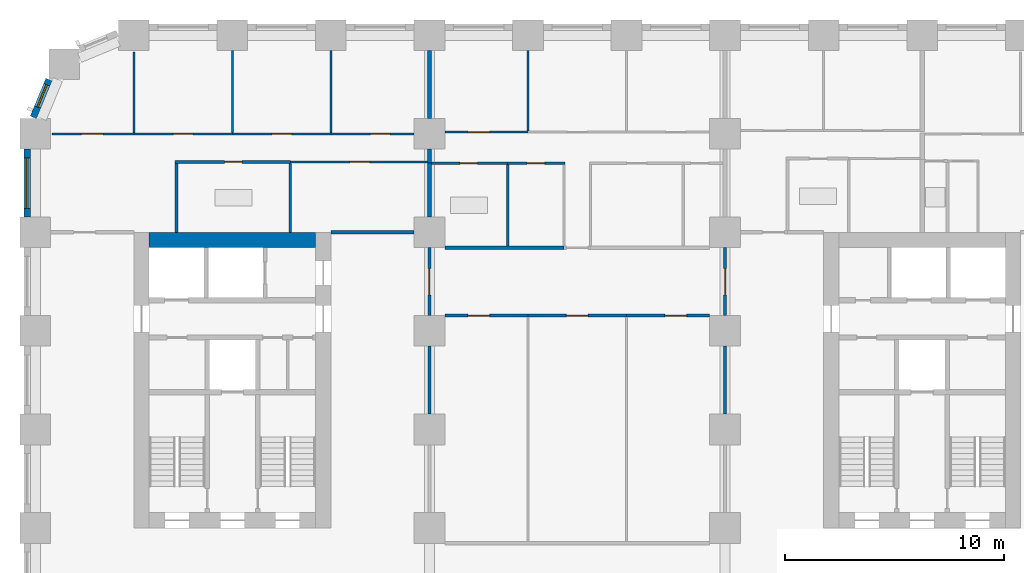
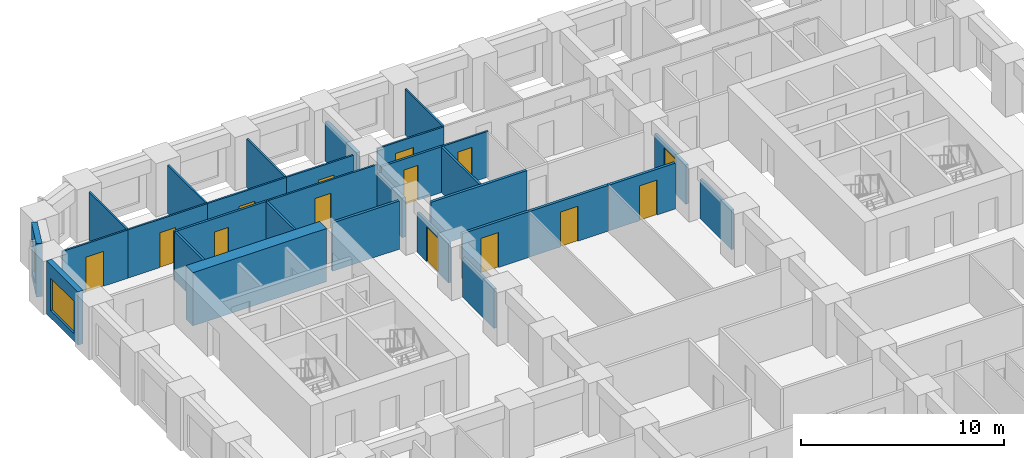
# One storey, part 7 of 13: 31 walls, 14 doors, 2 windows, 16 openings.
"""IFC4 building model written with IfcOpenShell, lengths in metres."""

import ifcopenshell
import ifcopenshell.guid

model = None  # the IFC model being written
_history = None  # IfcOwnerHistory: only IFC2X3 demands one
_inside = {}  # id of a spatial element -> (the spatial element, [elements in it])
_under = {}  # id of a project, library or spatial element -> (it, [spatial elements below it])
_declared = {}  # id of a project -> (the project, [libraries it declares])
_typed = {}  # id of a type object -> (the type object, [elements of that type])
_made_of = {}  # id of a material, layer set ... -> (it, [elements and type objects made of it])


def new_model(schema):
    """Start an empty IFC model of exactly this schema.

    Asked for "IFC4X3", IfcOpenShell would pick the latest addendum, in which some entities
    have other attributes; the version numbers below select the first issue.
    IFC2X3 requires an IfcOwnerHistory on every rooted entity: one is made here for all.
    """
    global model, _history
    if schema == "IFC4X3":
        model = ifcopenshell.file(schema_version=(4, 3, 0, 0))
    else:
        model = ifcopenshell.file(schema=schema)
    _inside.clear()
    _under.clear()
    _declared.clear()
    _typed.clear()
    _made_of.clear()
    _history = None
    if model.schema == "IFC2X3":
        org = make("IfcOrganization", Name="unknown")
        user = make(
            "IfcPersonAndOrganization",
            ThePerson=make("IfcPerson", FamilyName="unknown"),
            TheOrganization=org,
        )
        app = make(
            "IfcApplication",
            ApplicationDeveloper=org,
            Version="unknown",
            ApplicationFullName="unknown",
            ApplicationIdentifier="unknown",
        )
        _history = make(
            "IfcOwnerHistory",
            OwningUser=user,
            OwningApplication=app,
            ChangeAction="ADDED",
            CreationDate=0,
        )
    return model


def make(cls, **values):
    """One entity of the class cls with the attributes given. An attribute that is None is left unset."""
    return model.create_entity(
        cls, **{name: value for name, value in values.items() if value is not None}
    )


def rooted(cls, **values):
    """An entity with a GlobalId (a new one), such as an element, a storey or a relation."""
    return make(cls, GlobalId=ifcopenshell.guid.new(), OwnerHistory=_history, **values)


def si_unit(unit_type, name, prefix=None):
    """IfcSIUnit, for example si_unit("LENGTHUNIT", "METRE", prefix="MILLI")."""
    return make("IfcSIUnit", UnitType=unit_type, Prefix=prefix, Name=name)


def assignment(units):
    """IfcUnitAssignment: the units of a project."""
    return None if units is None else make("IfcUnitAssignment", Units=units)


def point(xyz):
    """IfcCartesianPoint."""
    return None if xyz is None else make("IfcCartesianPoint", Coordinates=xyz)


def direction(xyz):
    """IfcDirection."""
    return None if xyz is None else make("IfcDirection", DirectionRatios=xyz)


def frame(location, z_axis=None, x_axis=None):
    """IfcAxis2Placement3D, a coordinate frame: its origin and axes. An axis left out is left unset."""
    return make(
        "IfcAxis2Placement3D",
        Location=point(location),
        Axis=direction(z_axis),
        RefDirection=direction(x_axis),
    )


def frame_2d(location, x_axis=None):
    """IfcAxis2Placement2D, a coordinate frame in the plane: its origin and x axis."""
    return make(
        "IfcAxis2Placement2D", Location=point(location), RefDirection=direction(x_axis)
    )


def origin():
    """The frame at (0, 0, 0) with its axes left unset."""
    return frame((0.0, 0.0, 0.0))


def place(relative_to, where):
    """IfcLocalPlacement: puts the frame where relative to a parent placement (None: the world)."""
    return make(
        "IfcLocalPlacement", PlacementRelTo=relative_to, RelativePlacement=where
    )


def context(
    kind, dimensions, precision=None, world=None, true_north=None, identifier=None
):
    """IfcGeometricRepresentationContext, for example the 3D "Model" context."""
    return make(
        "IfcGeometricRepresentationContext",
        ContextIdentifier=identifier,
        ContextType=kind,
        CoordinateSpaceDimension=dimensions,
        Precision=precision,
        WorldCoordinateSystem=world,
        TrueNorth=true_north,
    )


def subcontext(parent, identifier, kind, view, scale=None):
    """IfcGeometricRepresentationSubContext, for example "Body" below "Model"."""
    return make(
        "IfcGeometricRepresentationSubContext",
        ContextIdentifier=identifier,
        ContextType=kind,
        ParentContext=parent,
        TargetScale=scale,
        TargetView=view,
    )


def project(units=None, contexts=None):
    """IfcProject with its units and contexts."""
    return rooted(
        "IfcProject",
        Name="project",
        RepresentationContexts=contexts,
        UnitsInContext=assignment(units),
    )


def spatial(cls, under=None, at=None, **own):
    """A site, building, storey or space (cls), placed at a placement, below another one or the project."""
    s = rooted(cls, ObjectPlacement=at, **own)
    if under is not None:
        _under.setdefault(under.id(), (under, []))[1].append(s)
    return s


def profile(cls, at=None, kind="AREA", **sizes):
    """A parametric profile (cls). Its sizes go by their IFC names, for example OverallWidth=200.0."""
    return make(cls, ProfileType=kind, Position=at, **sizes)


def rectangle(**sizes):
    """IfcRectangleProfileDef."""
    return profile("IfcRectangleProfileDef", **sizes)


def extrude(swept, where, along, depth):
    """IfcExtrudedAreaSolid: the profile swept, set in the frame where, extruded along a direction by depth."""
    return make(
        "IfcExtrudedAreaSolid",
        SweptArea=swept,
        Position=where,
        ExtrudedDirection=direction(along),
        Depth=depth,
    )


def shape(context_of_items, identifier, shape_type, items):
    """IfcShapeRepresentation: the items that make up one representation, for example the "Body"."""
    return make(
        "IfcShapeRepresentation",
        ContextOfItems=context_of_items,
        RepresentationIdentifier=identifier,
        RepresentationType=shape_type,
        Items=items,
    )


def material(Name=None, Category=None):
    """IfcMaterial."""
    return make("IfcMaterial", Name=Name, Category=Category)


def layer(
    of_material, thickness, ventilated=None, Name=None, Category=None, Priority=None
):
    """IfcMaterialLayer: one layer of a wall or slab, of a material (None: an air gap)."""
    return make(
        "IfcMaterialLayer",
        Material=of_material,
        LayerThickness=thickness,
        IsVentilated=ventilated,
        Name=Name,
        Category=Category,
        Priority=Priority,
    )


def layer_set(layers, Name=None):
    """IfcMaterialLayerSet."""
    return make("IfcMaterialLayerSet", MaterialLayers=layers, LayerSetName=Name)


def made_of(thing, what):
    """Note that an element or type object is made of a material, layer set ...; save() writes the relation."""
    if what is not None:
        _made_of.setdefault(what.id(), (what, []))[1].append(thing)
    return thing


def type_object(cls, material=None, **own):
    """A type object (cls), such as IfcWallType, which elements share."""
    return made_of(rooted(cls, **own), material)


def element(
    cls,
    number,
    at=None,
    inside=None,
    cuts=None,
    type_object=None,
    material=None,
    context=None,
    identifier="Body",
    shape_type=None,
    held_by="IfcProductDefinitionShape",
    body=None,
    shapes=None,
    **own,
):
    """One element of the class cls, such as IfcWall. Its Tag is "e" and its number.

    at: its placement. inside: the storey or other place that contains it. cuts: it is an
    opening in that element (IfcRelVoidsElement). A single representation is given by context,
    identifier, shape_type and body (its items); several are given by shapes. held_by: the class
    of the entity that holds the representations. save() writes the other relations.
    """
    e = rooted(cls, Tag="e%d" % number, ObjectPlacement=at, **own)
    if body is not None:
        shapes = [shape(context, identifier, shape_type, body)]
    if shapes is not None:
        e.Representation = make(held_by, Representations=shapes)
    if inside is not None:
        _inside.setdefault(inside.id(), (inside, []))[1].append(e)
    if cuts is not None:
        rooted(
            "IfcRelVoidsElement", RelatingBuildingElement=cuts, RelatedOpeningElement=e
        )
    if type_object is not None:
        _typed.setdefault(type_object.id(), (type_object, []))[1].append(e)
    return made_of(e, material)


def fill(opening, filler):
    """IfcRelFillsElement: the door or window that sits in an opening."""
    return rooted(
        "IfcRelFillsElement",
        RelatingOpeningElement=opening,
        RelatedBuildingElement=filler,
    )


def aggregate(whole, parts):
    """IfcRelAggregates: a whole, such as a stair, and the parts it consists of."""
    return rooted("IfcRelAggregates", RelatingObject=whole, RelatedObjects=parts)


def save(model, path):
    """Write the relations noted so far, then the file.

    IfcRelAggregates (storeys below a building ...), IfcRelContainedInSpatialStructure (elements
    in a storey), IfcRelDefinesByType, IfcRelAssociatesMaterial and IfcRelDeclares: one each for
    every whole, place, type object, material and project.
    """
    for whole, parts in _under.values():
        aggregate(whole, parts)
    for where, things in _inside.values():
        rooted(
            "IfcRelContainedInSpatialStructure",
            RelatedElements=things,
            RelatingStructure=where,
        )
    for kind, things in _typed.values():
        rooted("IfcRelDefinesByType", RelatedObjects=things, RelatingType=kind)
    for what, things in _made_of.values():
        rooted("IfcRelAssociatesMaterial", RelatedObjects=things, RelatingMaterial=what)
    for by, libraries in _declared.values():
        rooted("IfcRelDeclares", RelatingContext=by, RelatedDefinitions=libraries)
    model.write(path)


model = new_model("IFC4")

# Units and contexts
model_context = context("Model", 3, precision=1e-05, world=origin(), true_north=direction((0.0, 1.0)))
body_context = subcontext(model_context, "Body", "Model", "MODEL_VIEW")
ifc_project = project(units=[si_unit("LENGTHUNIT", "METRE"), si_unit("AREAUNIT", "SQUARE_METRE"), si_unit("VOLUMEUNIT", "CUBIC_METRE"), si_unit("PLANEANGLEUNIT", "RADIAN"), si_unit("MASSUNIT", "GRAM", prefix="KILO")], contexts=[model_context])

# Site, building, storey
site_placement = place(None, origin())
site = spatial("IfcSite", under=ifc_project, at=site_placement, CompositionType="ELEMENT")
building_placement = place(site_placement, origin())
building = spatial("IfcBuilding", under=site, at=building_placement, Name="Girih Gate Residences", CompositionType="ELEMENT")
storey_placement = place(building_placement, frame((0.0, 0.0, 49.60009765625)))
storey = spatial("IfcBuildingStorey", under=building, at=storey_placement, Name="L12", CompositionType="ELEMENT", Elevation=49.60009765625)

# Walls
ifc_material_1 = material(Name="Gypsum board on steel studs", Category="steel")
ifc_layer_1 = layer(ifc_material_1, 0.14990234375)
ifc_layer_set_1 = layer_set([ifc_layer_1], Name="Compartment wall 150 mm")
wall_type_1 = type_object("IfcWallType", Name="Compartment wall 150 mm", PredefinedType="PARTITIONING", material=ifc_layer_set_1)
wall_1_placement = place(storey_placement, frame((13.5, 40.5, 0.0), z_axis=(0.0, 0.0, 1.0), x_axis=(1.0, 0.0, 0.0)))
element("IfcWall", 1, at=wall_1_placement, inside=storey, type_object=wall_type_1, Name="L12 partition", PredefinedType="PARTITIONING", context=body_context, shape_type="SweptSolid", body=[
    extrude(rectangle(XDim=3.800048828125, YDim=0.14990234375, at=frame_2d((1.89990234375, 0.0))), origin(), (0.0, 0.0, 1.0), 2.89990234375),
])
wall_2_placement = place(storey_placement, frame((18.699951171875, 39.800048828125, 0.0), z_axis=(0.0, 0.0, 1.0), x_axis=(1.0, 0.0, 0.0)))
element("IfcWall", 2, at=wall_2_placement, inside=storey, type_object=wall_type_1, Name="L12 partition", PredefinedType="PARTITIONING", context=body_context, shape_type="SweptSolid", body=[
    extrude(rectangle(XDim=5.449951171875, YDim=0.14990234375, at=frame_2d((2.72509765625, 0.0))), origin(), (0.0, 0.0, 1.0), 2.75),
])

# Wall, opening, door
wall_3_placement = place(storey_placement, frame((22.5, 36.699951171875, 0.0), z_axis=(0.0, 0.0, 1.0), x_axis=(-1.0, 0.0, 0.0)))
wall_3 = element("IfcWall", 3, at=wall_3_placement, inside=storey, type_object=wall_type_1, Name="L12 partition", PredefinedType="PARTITIONING", context=body_context, shape_type="SweptSolid", body=[
    extrude(rectangle(XDim=3.800048828125, YDim=0.14990234375, at=frame_2d((1.89990234375, 0.0))), origin(), (0.0, 0.0, 1.0), 2.75),
])
opening_1_placement = place(wall_3_placement, frame((1.75, 0.0, 0.0)))
opening_1 = element("IfcOpeningElement", 4, at=opening_1_placement, cuts=wall_3, Name="Opening A12-047", PredefinedType="OPENING", context=body_context, shape_type="SweptSolid", body=[
    extrude(rectangle(XDim=1.0, YDim=2.10009765625, at=frame_2d((0.5, 1.050048828125))), frame((0.0, 0.0849609375, 0.0), z_axis=(0.0, -1.0, 0.0), x_axis=(1.0, 0.0, 0.0)), (0.0, 0.0, 1.0), 0.169921875),
])
ifc_material_2 = material(Name="Timber, fire-rated core", Category="wood")
door_type_1 = type_object("IfcDoorType", Name="Amenity room door 1000x2100 FD30S", OperationType="NOTDEFINED", PredefinedType="DOOR", material=ifc_material_2)
door_1_placement = place(opening_1_placement, origin())
door_1 = element("IfcDoor", 5, at=door_1_placement, inside=storey, type_object=door_type_1, Name="Door A12-047", OperationType="SINGLE_SWING_RIGHT", OverallHeight=2.10009765625, OverallWidth=1.0, PredefinedType="DOOR", context=body_context, shape_type="SweptSolid", body=[
    extrude(rectangle(XDim=1.0, YDim=2.10009765625, at=frame_2d((0.5, 1.050048828125))), frame((0.0, 0.02490234375, 0.0), z_axis=(0.0, -1.0, 0.0), x_axis=(1.0, 0.0, 0.0)), (0.0, 0.0, 1.0), 0.050048828125),
])
fill(opening_1, door_1)

wall_4_placement = place(storey_placement, frame((27.0, 36.699951171875, 0.0), z_axis=(0.0, 0.0, 1.0), x_axis=(-1.0, 0.0, 0.0)))
wall_4 = element("IfcWall", 6, at=wall_4_placement, inside=storey, type_object=wall_type_1, Name="L12 partition", PredefinedType="PARTITIONING", context=body_context, shape_type="SweptSolid", body=[
    extrude(rectangle(XDim=4.5, YDim=0.14990234375, at=frame_2d((2.25, 0.0))), origin(), (0.0, 0.0, 1.0), 2.75),
])
opening_2_placement = place(wall_4_placement, frame((1.75, 0.0, 0.0)))
opening_2 = element("IfcOpeningElement", 7, at=opening_2_placement, cuts=wall_4, Name="Opening A12-048", PredefinedType="OPENING", context=body_context, shape_type="SweptSolid", body=[
    extrude(rectangle(XDim=1.0, YDim=2.10009765625, at=frame_2d((0.5, 1.050048828125))), frame((0.0, 0.0849609375, 0.0), z_axis=(0.0, -1.0, 0.0), x_axis=(1.0, 0.0, 0.0)), (0.0, 0.0, 1.0), 0.169921875),
])
door_2_placement = place(opening_2_placement, origin())
door_2 = element("IfcDoor", 8, at=door_2_placement, inside=storey, type_object=door_type_1, Name="Door A12-048", OperationType="SINGLE_SWING_RIGHT", OverallHeight=2.10009765625, OverallWidth=1.0, PredefinedType="DOOR", context=body_context, shape_type="SweptSolid", body=[
    extrude(rectangle(XDim=1.0, YDim=2.10009765625, at=frame_2d((0.5, 1.050048828125))), frame((0.0, 0.02490234375, 0.0), z_axis=(0.0, -1.0, 0.0), x_axis=(1.0, 0.0, 0.0)), (0.0, 0.0, 1.0), 0.050048828125),
])
fill(opening_2, door_2)

wall_5_placement = place(storey_placement, frame((30.800048828125, 36.699951171875, 0.0), z_axis=(0.0, 0.0, 1.0), x_axis=(-1.0, 0.0, 0.0)))
wall_5 = element("IfcWall", 9, at=wall_5_placement, inside=storey, type_object=wall_type_1, Name="L12 partition", PredefinedType="PARTITIONING", context=body_context, shape_type="SweptSolid", body=[
    extrude(rectangle(XDim=3.800048828125, YDim=0.14990234375, at=frame_2d((1.89990234375, 0.0))), origin(), (0.0, 0.0, 1.0), 2.75),
])
opening_3_placement = place(wall_5_placement, frame((1.050048828125, 0.0, 0.0)))
opening_3 = element("IfcOpeningElement", 10, at=opening_3_placement, cuts=wall_5, Name="Opening A12-049", PredefinedType="OPENING", context=body_context, shape_type="SweptSolid", body=[
    extrude(rectangle(XDim=1.0, YDim=2.10009765625, at=frame_2d((0.5, 1.050048828125))), frame((0.0, 0.0849609375, 0.0), z_axis=(0.0, -1.0, 0.0), x_axis=(1.0, 0.0, 0.0)), (0.0, 0.0, 1.0), 0.169921875),
])
door_3_placement = place(opening_3_placement, origin())
door_3 = element("IfcDoor", 11, at=door_3_placement, inside=storey, type_object=door_type_1, Name="Door A12-049", OperationType="SINGLE_SWING_LEFT", OverallHeight=2.10009765625, OverallWidth=1.0, PredefinedType="DOOR", context=body_context, shape_type="SweptSolid", body=[
    extrude(rectangle(XDim=1.0, YDim=2.10009765625, at=frame_2d((0.5, 1.050048828125))), frame((0.0, 0.02490234375, 0.0), z_axis=(0.0, -1.0, 0.0), x_axis=(1.0, 0.0, 0.0)), (0.0, 0.0, 1.0), 0.050048828125),
])
fill(opening_3, door_3)

wall_6_placement = place(storey_placement, frame((31.5, 36.699951171875, 0.0), z_axis=(0.0, 0.0, 1.0), x_axis=(0.0, 1.0, 0.0)))
wall_6 = element("IfcWall", 12, at=wall_6_placement, inside=storey, type_object=wall_type_1, Name="L12 partition", PredefinedType="PARTITIONING", context=body_context, shape_type="SweptSolid", body=[
    extrude(rectangle(XDim=3.10009765625, YDim=0.14990234375, at=frame_2d((1.550048828125, 0.0))), origin(), (0.0, 0.0, 1.0), 2.3798828125),
])
opening_4_placement = place(wall_6_placement, frame((0.949951171875, 0.0, 0.0)))
opening_4 = element("IfcOpeningElement", 13, at=opening_4_placement, cuts=wall_6, Name="Opening A12-050", PredefinedType="OPENING", context=body_context, shape_type="SweptSolid", body=[
    extrude(rectangle(XDim=1.199951171875, YDim=2.10009765625, at=frame_2d((0.60009765625, 1.050048828125))), frame((0.0, 0.0849609375, 0.0), z_axis=(0.0, -1.0, 0.0), x_axis=(1.0, 0.0, 0.0)), (0.0, 0.0, 1.0), 0.169921875),
])
door_type_2 = type_object("IfcDoorType", Name="Corridor fire door 1200x2100 FD30S", OperationType="NOTDEFINED", PredefinedType="DOOR", material=ifc_material_2)
door_4_placement = place(opening_4_placement, origin())
door_4 = element("IfcDoor", 14, at=door_4_placement, inside=storey, type_object=door_type_2, Name="Door A12-050", OperationType="SINGLE_SWING_LEFT", OverallHeight=2.10009765625, OverallWidth=1.199951171875, PredefinedType="DOOR", context=body_context, shape_type="SweptSolid", body=[
    extrude(rectangle(XDim=1.199951171875, YDim=2.10009765625, at=frame_2d((0.60009765625, 1.050048828125))), frame((0.0, 0.02490234375, 0.0), z_axis=(0.0, -1.0, 0.0), x_axis=(1.0, 0.0, 0.0)), (0.0, 0.0, 1.0), 0.050048828125),
])
fill(opening_4, door_4)

wall_7_placement = place(storey_placement, frame((18.0, 39.800048828125, 0.0), z_axis=(0.0, 0.0, 1.0), x_axis=(0.0, -1.0, 0.0)))
wall_7 = element("IfcWall", 15, at=wall_7_placement, inside=storey, type_object=wall_type_1, Name="L12 partition", PredefinedType="PARTITIONING", context=body_context, shape_type="SweptSolid", body=[
    extrude(rectangle(XDim=3.10009765625, YDim=0.14990234375, at=frame_2d((1.550048828125, 0.0))), origin(), (0.0, 0.0, 1.0), 2.3798828125),
])
opening_5_placement = place(wall_7_placement, frame((0.949951171875, 0.0, 0.0)))
opening_5 = element("IfcOpeningElement", 16, at=opening_5_placement, cuts=wall_7, Name="Opening A12-051", PredefinedType="OPENING", context=body_context, shape_type="SweptSolid", body=[
    extrude(rectangle(XDim=1.199951171875, YDim=2.10009765625, at=frame_2d((0.60009765625, 1.050048828125))), frame((0.0, 0.0849609375, 0.0), z_axis=(0.0, -1.0, 0.0), x_axis=(1.0, 0.0, 0.0)), (0.0, 0.0, 1.0), 0.169921875),
])
door_5_placement = place(opening_5_placement, origin())
door_5 = element("IfcDoor", 17, at=door_5_placement, inside=storey, type_object=door_type_2, Name="Door A12-051", OperationType="SINGLE_SWING_LEFT", OverallHeight=2.10009765625, OverallWidth=1.199951171875, PredefinedType="DOOR", context=body_context, shape_type="SweptSolid", body=[
    extrude(rectangle(XDim=1.199951171875, YDim=2.10009765625, at=frame_2d((0.60009765625, 1.050048828125))), frame((0.0, 0.02490234375, 0.0), z_axis=(0.0, -1.0, 0.0), x_axis=(1.0, 0.0, 0.0)), (0.0, 0.0, 1.0), 0.050048828125),
])
fill(opening_5, door_5)

# Walls
for number, where, z_axis, x_axis, name in (
    (18, (18.0, 32.199951171875, 0.0), (0.0, 0.0, 1.0), (0.0, 1.0, 0.0), "L12 partition"),
    (19, (31.5, 32.199951171875, 0.0), (0.0, 0.0, 1.0), (0.0, 1.0, 0.0), "L12 partition"),
):
    element("IfcWall", number, at=place(storey_placement, frame(where, z_axis=z_axis, x_axis=x_axis)), inside=storey, type_object=wall_type_1, Name=name, PredefinedType="PARTITIONING", context=body_context, shape_type="SweptSolid", body=[
        extrude(rectangle(XDim=3.10009765625, YDim=0.14990234375, at=frame_2d((1.550048828125, 0.0))), origin(), (0.0, 0.0, 1.0), 2.3798828125),
    ])
ifc_material_3 = material(Name="Concrete C60/75", Category="concrete")
ifc_layer_2 = layer(ifc_material_3, 0.699951171875)
ifc_layer_set_2 = layer_set([ifc_layer_2], Name="Core wall RC 700 Concrete C60/75")
wall_type_2 = type_object("IfcWallType", Name="Core wall RC 700 Concrete C60/75", PredefinedType="SOLIDWALL", material=ifc_layer_set_2)
wall_8_placement = place(storey_placement, frame((5.199951171875, 40.14990234375, 0.0), z_axis=(0.0, 0.0, 1.0), x_axis=(1.0, 0.0, 0.0)))
element("IfcWall", 20, at=wall_8_placement, inside=storey, type_object=wall_type_2, Name="Core wall W-N L12", PredefinedType="SOLIDWALL", context=body_context, shape_type="SweptSolid", body=[
    extrude(rectangle(XDim=7.60009765625, YDim=0.699951171875, at=frame_2d((3.800048828125, 0.0))), origin(), (0.0, 0.0, 1.0), 3.199951171875),
])
ifc_layer_3 = layer(ifc_material_1, 0.10009765625)
ifc_layer_set_3 = layer_set([ifc_layer_3], Name="Partition 100 mm")
wall_type_3 = type_object("IfcWallType", Name="Partition 100 mm", PredefinedType="PARTITIONING", material=ifc_layer_set_3)
wall_9_placement = place(storey_placement, frame((9.0, 45.050048828125, 0.0), z_axis=(0.0, 0.0, 1.0), x_axis=(0.0, 1.0, 0.0)))
element("IfcWall", 21, at=wall_9_placement, inside=storey, type_object=wall_type_3, Name="L12 partition", PredefinedType="PARTITIONING", context=body_context, shape_type="SweptSolid", body=[
    extrude(rectangle(XDim=3.75, YDim=0.10009765625, at=frame_2d((1.875, 0.0))), origin(), (0.0, 0.0, 1.0), 2.89990234375),
])

# Wall, opening, door
wall_10_placement = place(storey_placement, frame((4.5, 45.0, 0.0), z_axis=(0.0, 0.0, 1.0), x_axis=(1.0, 0.0, 0.0)))
wall_10 = element("IfcWall", 22, at=wall_10_placement, inside=storey, type_object=wall_type_3, Name="L12 partition", PredefinedType="PARTITIONING", context=body_context, shape_type="SweptSolid", body=[
    extrude(rectangle(XDim=4.5, YDim=0.10009765625, at=frame_2d((2.25, 0.0))), origin(), (0.0, 0.0, 1.0), 2.89990234375),
])
opening_6_placement = place(wall_10_placement, frame((1.800048828125, 0.0, 0.0)))
opening_6 = element("IfcOpeningElement", 23, at=opening_6_placement, cuts=wall_10, Name="Opening A12-011", PredefinedType="OPENING", context=body_context, shape_type="SweptSolid", body=[
    extrude(rectangle(XDim=0.89990234375, YDim=2.10009765625, at=frame_2d((0.449951171875, 1.050048828125))), frame((0.0, 0.06005859375, 0.0), z_axis=(0.0, -1.0, 0.0), x_axis=(1.0, 0.0, 0.0)), (0.0, 0.0, 1.0), 0.1201171875),
])
ifc_material_4 = material(Name="Timber", Category="wood")
door_type_3 = type_object("IfcDoorType", Name="Bedroom door 900x2100", OperationType="NOTDEFINED", PredefinedType="DOOR", material=ifc_material_4)
door_6_placement = place(opening_6_placement, origin())
door_6 = element("IfcDoor", 24, at=door_6_placement, inside=storey, type_object=door_type_3, Name="Door A12-011", OperationType="SINGLE_SWING_RIGHT", OverallHeight=2.10009765625, OverallWidth=0.89990234375, PredefinedType="DOOR", context=body_context, shape_type="SweptSolid", body=[
    extrude(rectangle(XDim=0.89990234375, YDim=2.10009765625, at=frame_2d((0.449951171875, 1.050048828125))), frame((0.0, 0.02490234375, 0.0), z_axis=(0.0, -1.0, 0.0), x_axis=(1.0, 0.0, 0.0)), (0.0, 0.0, 1.0), 0.050048828125),
])
fill(opening_6, door_6)

# Walls
wall_11_placement = place(storey_placement, frame((4.5, 45.050048828125, 0.0), z_axis=(0.0, 0.0, 1.0), x_axis=(0.0, 1.0, 0.0)))
element("IfcWall", 25, at=wall_11_placement, inside=storey, type_object=wall_type_3, Name="L12 partition", PredefinedType="PARTITIONING", context=body_context, shape_type="SweptSolid", body=[
    extrude(rectangle(XDim=3.6923828125, YDim=0.10009765625, at=frame_2d((1.84619140625, 0.0))), origin(), (0.0, 0.0, 1.0), 2.89990234375),
])
wall_12_placement = place(storey_placement, frame((13.5, 45.050048828125, 0.0), z_axis=(0.0, 0.0, 1.0), x_axis=(0.0, 1.0, 0.0)))
element("IfcWall", 26, at=wall_12_placement, inside=storey, type_object=wall_type_3, Name="L12 partition", PredefinedType="PARTITIONING", context=body_context, shape_type="SweptSolid", body=[
    extrude(rectangle(XDim=3.75, YDim=0.10009765625, at=frame_2d((1.875, 0.0))), origin(), (0.0, 0.0, 1.0), 2.89990234375),
])

# Wall, opening, door
wall_13_placement = place(storey_placement, frame((9.0, 45.0, 0.0), z_axis=(0.0, 0.0, 1.0), x_axis=(1.0, 0.0, 0.0)))
wall_13 = element("IfcWall", 27, at=wall_13_placement, inside=storey, type_object=wall_type_3, Name="L12 partition", PredefinedType="PARTITIONING", context=body_context, shape_type="SweptSolid", body=[
    extrude(rectangle(XDim=4.5, YDim=0.10009765625, at=frame_2d((2.25, 0.0))), origin(), (0.0, 0.0, 1.0), 2.89990234375),
])
opening_7_placement = place(wall_13_placement, frame((1.800048828125, 0.0, 0.0)))
opening_7 = element("IfcOpeningElement", 28, at=opening_7_placement, cuts=wall_13, Name="Opening A12-012", PredefinedType="OPENING", context=body_context, shape_type="SweptSolid", body=[
    extrude(rectangle(XDim=0.89990234375, YDim=2.10009765625, at=frame_2d((0.449951171875, 1.050048828125))), frame((0.0, 0.06005859375, 0.0), z_axis=(0.0, -1.0, 0.0), x_axis=(1.0, 0.0, 0.0)), (0.0, 0.0, 1.0), 0.1201171875),
])
door_7_placement = place(opening_7_placement, origin())
door_7 = element("IfcDoor", 29, at=door_7_placement, inside=storey, type_object=door_type_3, Name="Door A12-012", OperationType="SINGLE_SWING_LEFT", OverallHeight=2.10009765625, OverallWidth=0.89990234375, PredefinedType="DOOR", context=body_context, shape_type="SweptSolid", body=[
    extrude(rectangle(XDim=0.89990234375, YDim=2.10009765625, at=frame_2d((0.449951171875, 1.050048828125))), frame((0.0, 0.02490234375, 0.0), z_axis=(0.0, -1.0, 0.0), x_axis=(1.0, 0.0, 0.0)), (0.0, 0.0, 1.0), 0.050048828125),
])
fill(opening_7, door_7)

wall_14_placement = place(storey_placement, frame((13.5, 45.0, 0.0), z_axis=(0.0, 0.0, 1.0), x_axis=(1.0, 0.0, 0.0)))
wall_14 = element("IfcWall", 30, at=wall_14_placement, inside=storey, type_object=wall_type_3, Name="L12 partition", PredefinedType="PARTITIONING", context=body_context, shape_type="SweptSolid", body=[
    extrude(rectangle(XDim=3.800048828125, YDim=0.10009765625, at=frame_2d((1.89990234375, 0.0))), origin(), (0.0, 0.0, 1.0), 2.89990234375),
])
opening_8_placement = place(wall_14_placement, frame((1.800048828125, 0.0, 0.0)))
opening_8 = element("IfcOpeningElement", 31, at=opening_8_placement, cuts=wall_14, Name="Opening A12-013", PredefinedType="OPENING", context=body_context, shape_type="SweptSolid", body=[
    extrude(rectangle(XDim=0.89990234375, YDim=2.10009765625, at=frame_2d((0.449951171875, 1.050048828125))), frame((0.0, 0.06005859375, 0.0), z_axis=(0.0, -1.0, 0.0), x_axis=(1.0, 0.0, 0.0)), (0.0, 0.0, 1.0), 0.1201171875),
])
door_8_placement = place(opening_8_placement, origin())
door_8 = element("IfcDoor", 32, at=door_8_placement, inside=storey, type_object=door_type_3, Name="Door A12-013", OperationType="SINGLE_SWING_RIGHT", OverallHeight=2.10009765625, OverallWidth=0.89990234375, PredefinedType="DOOR", context=body_context, shape_type="SweptSolid", body=[
    extrude(rectangle(XDim=0.89990234375, YDim=2.10009765625, at=frame_2d((0.449951171875, 1.050048828125))), frame((0.0, 0.02490234375, 0.0), z_axis=(0.0, -1.0, 0.0), x_axis=(1.0, 0.0, 0.0)), (0.0, 0.0, 1.0), 0.050048828125),
])
fill(opening_8, door_8)

wall_15_placement = place(storey_placement, frame((17.89990234375, 43.719970703125, 0.0), z_axis=(0.0, 0.0, 1.0), x_axis=(-1.0, 0.0, 0.0)))
wall_15 = element("IfcWall", 33, at=wall_15_placement, inside=storey, type_object=wall_type_3, Name="L12 partition", PredefinedType="PARTITIONING", context=body_context, shape_type="SweptSolid", body=[
    extrude(rectangle(XDim=6.2548828125, YDim=0.10009765625, at=frame_2d((3.12744140625, 0.0))), origin(), (0.0, 0.0, 1.0), 2.89990234375),
])
opening_9_placement = place(wall_15_placement, frame((2.62744140625, 0.0, 0.0)))
opening_9 = element("IfcOpeningElement", 34, at=opening_9_placement, cuts=wall_15, Name="Opening A12-014", PredefinedType="OPENING", context=body_context, shape_type="SweptSolid", body=[
    extrude(rectangle(XDim=0.89990234375, YDim=2.10009765625, at=frame_2d((0.449951171875, 1.050048828125))), frame((0.0, 0.06005859375, 0.0), z_axis=(0.0, -1.0, 0.0), x_axis=(1.0, 0.0, 0.0)), (0.0, 0.0, 1.0), 0.1201171875),
])
door_type_4 = type_object("IfcDoorType", Name="Kitchen door 900x2100", OperationType="NOTDEFINED", PredefinedType="DOOR", material=ifc_material_4)
door_9_placement = place(opening_9_placement, origin())
door_9 = element("IfcDoor", 35, at=door_9_placement, inside=storey, type_object=door_type_4, Name="Door A12-014", OperationType="SINGLE_SWING_LEFT", OverallHeight=2.10009765625, OverallWidth=0.89990234375, PredefinedType="DOOR", context=body_context, shape_type="SweptSolid", body=[
    extrude(rectangle(XDim=0.89990234375, YDim=2.10009765625, at=frame_2d((0.449951171875, 1.050048828125))), frame((0.0, 0.02490234375, 0.0), z_axis=(0.0, -1.0, 0.0), x_axis=(1.0, 0.0, 0.0)), (0.0, 0.0, 1.0), 0.050048828125),
])
fill(opening_9, door_9)

wall_16_placement = place(storey_placement, frame((0.757568359375, 45.0, 0.0), z_axis=(0.0, 0.0, 1.0), x_axis=(1.0, 0.0, 0.0)))
wall_16 = element("IfcWall", 36, at=wall_16_placement, inside=storey, type_object=wall_type_3, Name="L12 partition", PredefinedType="PARTITIONING", context=body_context, shape_type="SweptSolid", body=[
    extrude(rectangle(XDim=3.742431640625, YDim=0.10009765625, at=frame_2d((1.87109375, 0.0))), origin(), (0.0, 0.0, 1.0), 2.89990234375),
])
opening_10_placement = place(wall_16_placement, frame((1.34228515625, 0.0, 0.0)))
opening_10 = element("IfcOpeningElement", 37, at=opening_10_placement, cuts=wall_16, Name="Opening A12-015", PredefinedType="OPENING", context=body_context, shape_type="SweptSolid", body=[
    extrude(rectangle(XDim=1.0, YDim=2.10009765625, at=frame_2d((0.5, 1.050048828125))), frame((0.0, 0.06005859375, 0.0), z_axis=(0.0, -1.0, 0.0), x_axis=(1.0, 0.0, 0.0)), (0.0, 0.0, 1.0), 0.1201171875),
])
door_type_5 = type_object("IfcDoorType", Name="Living room door 1000x2100", OperationType="NOTDEFINED", PredefinedType="DOOR", material=ifc_material_4)
door_10_placement = place(opening_10_placement, origin())
door_10 = element("IfcDoor", 38, at=door_10_placement, inside=storey, type_object=door_type_5, Name="Door A12-015", OperationType="SINGLE_SWING_LEFT", OverallHeight=2.10009765625, OverallWidth=1.0, PredefinedType="DOOR", context=body_context, shape_type="SweptSolid", body=[
    extrude(rectangle(XDim=1.0, YDim=2.10009765625, at=frame_2d((0.5, 1.050048828125))), frame((0.0, 0.02490234375, 0.0), z_axis=(0.0, -1.0, 0.0), x_axis=(1.0, 0.0, 0.0)), (0.0, 0.0, 1.0), 0.050048828125),
])
fill(opening_10, door_10)

# Wall
wall_17_placement = place(storey_placement, frame((22.5, 45.1298828125, 0.0), z_axis=(0.0, 0.0, 1.0), x_axis=(0.0, 1.0, 0.0)))
element("IfcWall", 39, at=wall_17_placement, inside=storey, type_object=wall_type_3, Name="L12 partition", PredefinedType="PARTITIONING", context=body_context, shape_type="SweptSolid", body=[
    extrude(rectangle(XDim=3.670166015625, YDim=0.10009765625, at=frame_2d((1.8349609375, 0.0))), origin(), (0.0, 0.0, 1.0), 2.75),
])

# Wall, opening, door
wall_18_placement = place(storey_placement, frame((18.699951171875, 45.080078125, 0.0), z_axis=(0.0, 0.0, 1.0), x_axis=(1.0, 0.0, 0.0)))
wall_18 = element("IfcWall", 40, at=wall_18_placement, inside=storey, type_object=wall_type_3, Name="L12 partition", PredefinedType="PARTITIONING", context=body_context, shape_type="SweptSolid", body=[
    extrude(rectangle(XDim=3.800048828125, YDim=0.10009765625, at=frame_2d((1.89990234375, 0.0))), origin(), (0.0, 0.0, 1.0), 2.75),
])
opening_11_placement = place(wall_18_placement, frame((1.050048828125, 0.0, 0.0)))
opening_11 = element("IfcOpeningElement", 41, at=opening_11_placement, cuts=wall_18, Name="Opening A12-043", PredefinedType="OPENING", context=body_context, shape_type="SweptSolid", body=[
    extrude(rectangle(XDim=1.0, YDim=2.10009765625, at=frame_2d((0.5, 1.050048828125))), frame((0.0, 0.06005859375, 0.0), z_axis=(0.0, -1.0, 0.0), x_axis=(1.0, 0.0, 0.0)), (0.0, 0.0, 1.0), 0.1201171875),
])
door_11_placement = place(opening_11_placement, origin())
door_11 = element("IfcDoor", 42, at=door_11_placement, inside=storey, type_object=door_type_5, Name="Door A12-043", OperationType="SINGLE_SWING_LEFT", OverallHeight=2.10009765625, OverallWidth=1.0, PredefinedType="DOOR", context=body_context, shape_type="SweptSolid", body=[
    extrude(rectangle(XDim=1.0, YDim=2.10009765625, at=frame_2d((0.5, 1.050048828125))), frame((0.0, 0.02490234375, 0.0), z_axis=(0.0, -1.0, 0.0), x_axis=(1.0, 0.0, 0.0)), (0.0, 0.0, 1.0), 0.050048828125),
])
fill(opening_11, door_11)

wall_19_placement = place(storey_placement, frame((24.199951171875, 43.659912109375, 0.0), z_axis=(0.0, 0.0, 1.0), x_axis=(-1.0, 0.0, 0.0)))
wall_19 = element("IfcWall", 43, at=wall_19_placement, inside=storey, type_object=wall_type_3, Name="L12 partition", PredefinedType="PARTITIONING", context=body_context, shape_type="SweptSolid", body=[
    extrude(rectangle(XDim=2.62744140625, YDim=0.10009765625, at=frame_2d((1.313720703125, 0.0))), origin(), (0.0, 0.0, 1.0), 2.75),
])
opening_12_placement = place(wall_19_placement, frame((0.938720703125, 0.0, 0.0)))
opening_12 = element("IfcOpeningElement", 44, at=opening_12_placement, cuts=wall_19, Name="Opening A12-045", PredefinedType="OPENING", context=body_context, shape_type="SweptSolid", body=[
    extrude(rectangle(XDim=0.800048828125, YDim=2.10009765625, at=frame_2d((0.39990234375, 1.050048828125))), frame((0.0, 0.06005859375, 0.0), z_axis=(0.0, -1.0, 0.0), x_axis=(1.0, 0.0, 0.0)), (0.0, 0.0, 1.0), 0.1201171875),
])
door_type_6 = type_object("IfcDoorType", Name="Store door 800x2100", OperationType="NOTDEFINED", PredefinedType="DOOR", material=ifc_material_4)
door_12_placement = place(opening_12_placement, origin())
door_12 = element("IfcDoor", 45, at=door_12_placement, inside=storey, type_object=door_type_6, Name="Door A12-045", OperationType="SINGLE_SWING_RIGHT", OverallHeight=2.10009765625, OverallWidth=0.800048828125, PredefinedType="DOOR", context=body_context, shape_type="SweptSolid", body=[
    extrude(rectangle(XDim=0.800048828125, YDim=2.10009765625, at=frame_2d((0.39990234375, 1.050048828125))), frame((0.0, 0.02490234375, 0.0), z_axis=(0.0, -1.0, 0.0), x_axis=(1.0, 0.0, 0.0)), (0.0, 0.0, 1.0), 0.050048828125),
])
fill(opening_12, door_12)

# Walls
ifc_layer_4 = layer(ifc_material_1, 0.199951171875)
ifc_layer_set_4 = layer_set([ifc_layer_4], Name="Party wall 200 mm")
wall_type_4 = type_object("IfcWallType", Name="Party wall 200 mm", PredefinedType="PARTITIONING", material=ifc_layer_set_4)
wall_20_placement = place(storey_placement, frame((18.0, 45.699951171875, 0.0), z_axis=(0.0, 0.0, 1.0), x_axis=(0.0, 1.0, 0.0)))
element("IfcWall", 46, at=wall_20_placement, inside=storey, type_object=wall_type_4, Name="L12 partition", PredefinedType="PARTITIONING", context=body_context, shape_type="SweptSolid", body=[
    extrude(rectangle(XDim=3.10009765625, YDim=0.199951171875, at=frame_2d((1.550048828125, 0.0))), origin(), (0.0, 0.0, 1.0), 2.3798828125),
])
wall_21_placement = place(storey_placement, frame((18.0, 43.669921875, 0.0), z_axis=(0.0, 0.0, 1.0), x_axis=(0.0, 1.0, 0.0)))
element("IfcWall", 47, at=wall_21_placement, inside=storey, type_object=wall_type_4, Name="L12 partition", PredefinedType="PARTITIONING", context=body_context, shape_type="SweptSolid", body=[
    extrude(rectangle(XDim=0.630126953125, YDim=0.199951171875, at=frame_2d((0.31494140625, 0.0))), origin(), (0.0, 0.0, 1.0), 2.3798828125),
])
wall_22_placement = place(storey_placement, frame((18.0, 41.199951171875, 0.0), z_axis=(0.0, 0.0, 1.0), x_axis=(0.0, 1.0, 0.0)))
element("IfcWall", 48, at=wall_22_placement, inside=storey, type_object=wall_type_4, Name="L12 partition", PredefinedType="PARTITIONING", context=body_context, shape_type="SweptSolid", body=[
    extrude(rectangle(XDim=2.5224609375, YDim=0.199951171875, at=frame_2d((1.26123046875, 0.0))), origin(), (0.0, 0.0, 1.0), 2.3798828125),
])

# Wall, opening, window
ifc_material_5 = material(Name="Precast concrete C50/60", Category="concrete")
ifc_layer_5 = layer(ifc_material_5, 0.080078125, Name="Outer leaf")
ifc_material_6 = material(Name="Rigid PIR insulation")
ifc_layer_6 = layer(ifc_material_6, 0.14990234375, Name="Insulation")
ifc_material_7 = material(Name="Precast concrete C40/50", Category="concrete")
ifc_layer_7 = layer(ifc_material_7, 0.070068359375, Name="Inner leaf")
ifc_layer_set_5 = layer_set([ifc_layer_5, ifc_layer_6, ifc_layer_7], Name="Precast concrete C50/60 external wall 300")
wall_type_5 = type_object("IfcWallType", Name="Precast concrete C50/60 external wall 300", PredefinedType="SOLIDWALL", material=ifc_layer_set_5)
wall_23_placement = place(storey_placement, frame((-0.09228515625, 45.75732421875, 0.0), z_axis=(0.0, 0.0, 1.0), x_axis=(0.382737135771, 0.923857286003, 0.0)))
wall_23 = element("IfcWall", 49, at=wall_23_placement, inside=storey, type_object=wall_type_5, Name="External wall NW0013_0482.0", PredefinedType="SOLIDWALL", context=body_context, shape_type="SweptSolid", body=[
    extrude(rectangle(XDim=1.865234375, YDim=0.300048828125, at=frame_2d((0.9326171875, 0.0))), origin(), (0.0, 0.0, 1.0), 3.199951171875),
])
opening_13_placement = place(wall_23_placement, frame((0.507568359375, 0.0, 0.449951171875)))
opening_13 = element("IfcOpeningElement", 50, at=opening_13_placement, cuts=wall_23, Name="Opening W-2C", PredefinedType="OPENING", context=body_context, shape_type="SweptSolid", body=[
    extrude(rectangle(XDim=1.10009765625, YDim=1.949951171875, at=frame_2d((0.550048828125, 0.97509765625))), frame((0.0, 0.159912109375, 0.0), z_axis=(0.0, -1.0, 0.0), x_axis=(1.0, 0.0, 0.0)), (0.0, 0.0, 1.0), 0.320068359375),
])
ifc_material_8 = material(Name="Double glazing in aluminium frame", Category="aluminium")
window_type_1 = type_object("IfcWindowType", Name="Window W-2C 1100x1950", PartitioningType="SINGLE_PANEL", PredefinedType="WINDOW", material=ifc_material_8)
window_1_placement = place(opening_13_placement, origin())
window_1 = element("IfcWindow", 51, at=window_1_placement, inside=storey, type_object=window_type_1, Name="Window W-2C NW0013_0482.0", OverallHeight=1.949951171875, OverallWidth=1.10009765625, PartitioningType="SINGLE_PANEL", PredefinedType="WINDOW", context=body_context, shape_type="SweptSolid", body=[
    extrude(rectangle(XDim=1.10009765625, YDim=1.949951171875, at=frame_2d((0.550048828125, 0.97509765625))), frame((0.0, 0.030029296875, 0.0), z_axis=(0.0, -1.0, 0.0), x_axis=(1.0, 0.0, 0.0)), (0.0, 0.0, 1.0), 0.06005859375),
])
fill(opening_13, window_1)

wall_24_placement = place(storey_placement, frame((-0.375, 41.199951171875, 0.0), z_axis=(0.0, 0.0, 1.0), x_axis=(0.0, 1.0, 0.0)))
wall_24 = element("IfcWall", 52, at=wall_24_placement, inside=storey, type_object=wall_type_5, Name="External wall W0000_0450.0", PredefinedType="SOLIDWALL", context=body_context, shape_type="SweptSolid", body=[
    extrude(rectangle(XDim=3.10009765625, YDim=0.300048828125, at=frame_2d((1.550048828125, 0.0))), origin(), (0.0, 0.0, 1.0), 3.199951171875),
])
opening_14_placement = place(wall_24_placement, frame((0.39990234375, 0.0, 0.449951171875)))
opening_14 = element("IfcOpeningElement", 53, at=opening_14_placement, cuts=wall_24, Name="Opening W-1", PredefinedType="OPENING", context=body_context, shape_type="SweptSolid", body=[
    extrude(rectangle(XDim=2.300048828125, YDim=1.949951171875, at=frame_2d((1.14990234375, 0.97509765625))), frame((0.0, 0.159912109375, 0.0), z_axis=(0.0, -1.0, 0.0), x_axis=(1.0, 0.0, 0.0)), (0.0, 0.0, 1.0), 0.320068359375),
])
window_type_2 = type_object("IfcWindowType", Name="Window W-1 2300x1950", PartitioningType="SINGLE_PANEL", PredefinedType="WINDOW", material=ifc_material_8)
window_2_placement = place(opening_14_placement, origin())
window_2 = element("IfcWindow", 54, at=window_2_placement, inside=storey, type_object=window_type_2, Name="Window W-1 W0000_0450.0", OverallHeight=1.949951171875, OverallWidth=2.300048828125, PartitioningType="SINGLE_PANEL", PredefinedType="WINDOW", context=body_context, shape_type="SweptSolid", body=[
    extrude(rectangle(XDim=2.300048828125, YDim=1.949951171875, at=frame_2d((1.14990234375, 0.97509765625))), frame((0.0, 0.030029296875, 0.0), z_axis=(0.0, -1.0, 0.0), x_axis=(1.0, 0.0, 0.0)), (0.0, 0.0, 1.0), 0.06005859375),
])
fill(opening_14, window_2)

# Wall
ifc_layer_8 = layer(ifc_material_1, 0.125)
ifc_layer_set_6 = layer_set([ifc_layer_8], Name="Wet room wall 125 mm")
wall_type_6 = type_object("IfcWallType", Name="Wet room wall 125 mm", PredefinedType="PARTITIONING", material=ifc_layer_set_6)
wall_25_placement = place(storey_placement, frame((6.449951171875, 40.5, 0.0), z_axis=(0.0, 0.0, 1.0), x_axis=(0.0, 1.0, 0.0)))
element("IfcWall", 55, at=wall_25_placement, inside=storey, type_object=wall_type_6, Name="L12 partition", PredefinedType="PARTITIONING", context=body_context, shape_type="SweptSolid", body=[
    extrude(rectangle(XDim=3.157470703125, YDim=0.125, at=frame_2d((1.57861328125, 0.0))), origin(), (0.0, 0.0, 1.0), 2.89990234375),
])

# Wall, opening, door
wall_26_placement = place(storey_placement, frame((11.64501953125, 43.719970703125, 0.0), z_axis=(0.0, 0.0, 1.0), x_axis=(-1.0, 0.0, 0.0)))
wall_26 = element("IfcWall", 56, at=wall_26_placement, inside=storey, type_object=wall_type_6, Name="L12 partition", PredefinedType="PARTITIONING", context=body_context, shape_type="SweptSolid", body=[
    extrude(rectangle(XDim=5.257568359375, YDim=0.125, at=frame_2d((2.62890625, 0.0))), origin(), (0.0, 0.0, 1.0), 2.89990234375),
])
opening_15_placement = place(wall_26_placement, frame((2.197509765625, 0.0, 0.0)))
opening_15 = element("IfcOpeningElement", 57, at=opening_15_placement, cuts=wall_26, Name="Opening A12-010", PredefinedType="OPENING", context=body_context, shape_type="SweptSolid", body=[
    extrude(rectangle(XDim=0.800048828125, YDim=2.10009765625, at=frame_2d((0.39990234375, 1.050048828125))), frame((0.0, 0.072509765625, 0.0), z_axis=(0.0, -1.0, 0.0), x_axis=(1.0, 0.0, 0.0)), (0.0, 0.0, 1.0), 0.14501953125),
])
door_type_7 = type_object("IfcDoorType", Name="Bathroom door 800x2100", OperationType="NOTDEFINED", PredefinedType="DOOR", material=ifc_material_4)
door_13_placement = place(opening_15_placement, origin())
door_13 = element("IfcDoor", 58, at=door_13_placement, inside=storey, type_object=door_type_7, Name="Door A12-010", OperationType="SINGLE_SWING_LEFT", OverallHeight=2.10009765625, OverallWidth=0.800048828125, PredefinedType="DOOR", context=body_context, shape_type="SweptSolid", body=[
    extrude(rectangle(XDim=0.800048828125, YDim=2.10009765625, at=frame_2d((0.39990234375, 1.050048828125))), frame((0.0, 0.02490234375, 0.0), z_axis=(0.0, -1.0, 0.0), x_axis=(1.0, 0.0, 0.0)), (0.0, 0.0, 1.0), 0.050048828125),
])
fill(opening_15, door_13)

# Wall
wall_27_placement = place(storey_placement, frame((11.64501953125, 40.5, 0.0), z_axis=(0.0, 0.0, 1.0), x_axis=(0.0, 1.0, 0.0)))
element("IfcWall", 59, at=wall_27_placement, inside=storey, type_object=wall_type_6, Name="L12 partition", PredefinedType="PARTITIONING", context=body_context, shape_type="SweptSolid", body=[
    extrude(rectangle(XDim=3.157470703125, YDim=0.125, at=frame_2d((1.57861328125, 0.0))), origin(), (0.0, 0.0, 1.0), 2.89990234375),
])

# Wall, opening, door
wall_28_placement = place(storey_placement, frame((21.572509765625, 43.659912109375, 0.0), z_axis=(0.0, 0.0, 1.0), x_axis=(-1.0, 0.0, 0.0)))
wall_28 = element("IfcWall", 60, at=wall_28_placement, inside=storey, type_object=wall_type_6, Name="L12 partition", PredefinedType="PARTITIONING", context=body_context, shape_type="SweptSolid", body=[
    extrude(rectangle(XDim=3.472412109375, YDim=0.125, at=frame_2d((1.736328125, 0.0))), origin(), (0.0, 0.0, 1.0), 2.75),
])
opening_16_placement = place(wall_28_placement, frame((1.38623046875, 0.0, 0.0)))
opening_16 = element("IfcOpeningElement", 61, at=opening_16_placement, cuts=wall_28, Name="Opening A12-039", PredefinedType="OPENING", context=body_context, shape_type="SweptSolid", body=[
    extrude(rectangle(XDim=0.800048828125, YDim=2.10009765625, at=frame_2d((0.39990234375, 1.050048828125))), frame((0.0, 0.072509765625, 0.0), z_axis=(0.0, -1.0, 0.0), x_axis=(1.0, 0.0, 0.0)), (0.0, 0.0, 1.0), 0.14501953125),
])
door_14_placement = place(opening_16_placement, origin())
door_14 = element("IfcDoor", 62, at=door_14_placement, inside=storey, type_object=door_type_7, Name="Door A12-039", OperationType="SINGLE_SWING_RIGHT", OverallHeight=2.10009765625, OverallWidth=0.800048828125, PredefinedType="DOOR", context=body_context, shape_type="SweptSolid", body=[
    extrude(rectangle(XDim=0.800048828125, YDim=2.10009765625, at=frame_2d((0.39990234375, 1.050048828125))), frame((0.0, 0.02490234375, 0.0), z_axis=(0.0, -1.0, 0.0), x_axis=(1.0, 0.0, 0.0)), (0.0, 0.0, 1.0), 0.050048828125),
])
fill(opening_16, door_14)

# Wall
wall_29_placement = place(storey_placement, frame((21.572998046875, 39.875, 0.0), z_axis=(0.0, 0.0, 1.0), x_axis=(0.0, 1.0, 0.0)))
element("IfcWall", 63, at=wall_29_placement, inside=storey, type_object=wall_type_6, Name="L12 partition", PredefinedType="PARTITIONING", context=body_context, shape_type="SweptSolid", body=[
    extrude(rectangle(XDim=3.722412109375, YDim=0.125, at=frame_2d((1.861328125, 0.0))), origin(), (0.0, 0.0, 1.0), 2.75),
])

save(model, "model.ifc")
